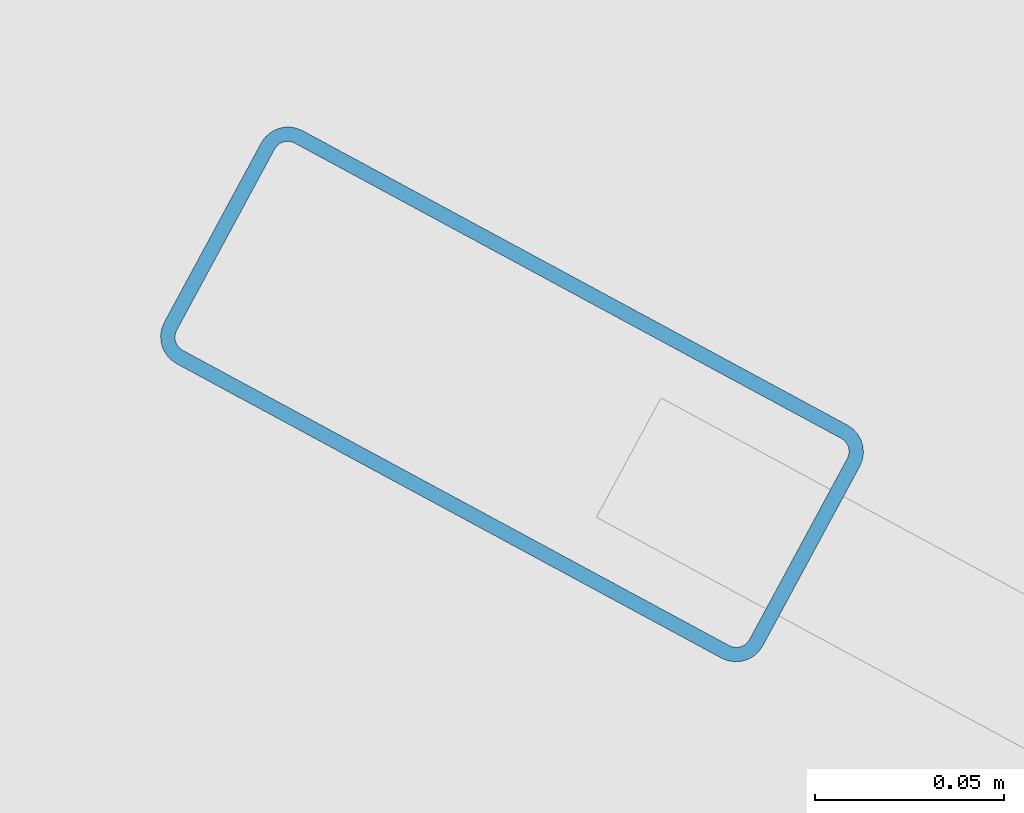
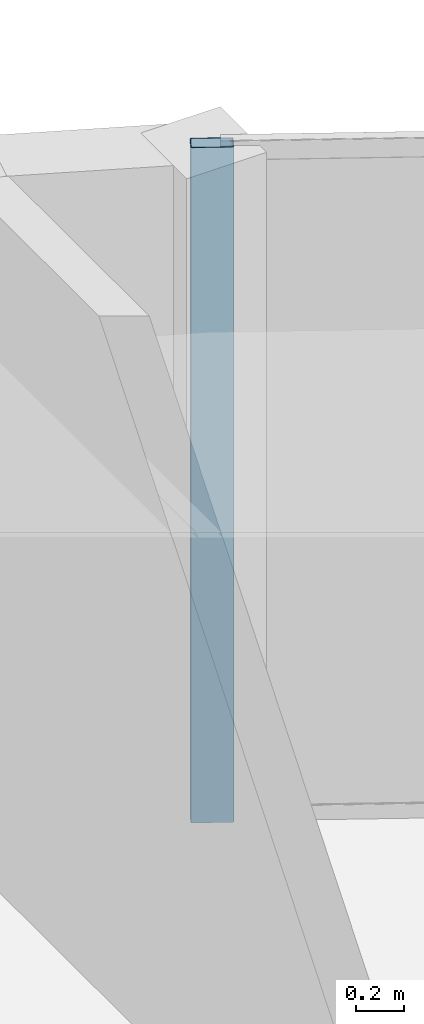
# One storey, part 8 of 14: 1 member, 1 element without a shape of its own.
"""IFC4 building model written with IfcOpenShell, lengths in metres."""

import ifcopenshell
import ifcopenshell.guid

model = None  # the IFC model being written
_history = None  # IfcOwnerHistory: only IFC2X3 demands one
_inside = {}  # id of a spatial element -> (the spatial element, [elements in it])
_under = {}  # id of a project, library or spatial element -> (it, [spatial elements below it])
_declared = {}  # id of a project -> (the project, [libraries it declares])
_typed = {}  # id of a type object -> (the type object, [elements of that type])
_made_of = {}  # id of a material, layer set ... -> (it, [elements and type objects made of it])


def new_model(schema):
    """Start an empty IFC model of exactly this schema.

    Asked for "IFC4X3", IfcOpenShell would pick the latest addendum, in which some entities
    have other attributes; the version numbers below select the first issue.
    IFC2X3 requires an IfcOwnerHistory on every rooted entity: one is made here for all.
    """
    global model, _history
    if schema == "IFC4X3":
        model = ifcopenshell.file(schema_version=(4, 3, 0, 0))
    else:
        model = ifcopenshell.file(schema=schema)
    _inside.clear()
    _under.clear()
    _declared.clear()
    _typed.clear()
    _made_of.clear()
    _history = None
    if model.schema == "IFC2X3":
        org = make("IfcOrganization", Name="unknown")
        user = make(
            "IfcPersonAndOrganization",
            ThePerson=make("IfcPerson", FamilyName="unknown"),
            TheOrganization=org,
        )
        app = make(
            "IfcApplication",
            ApplicationDeveloper=org,
            Version="unknown",
            ApplicationFullName="unknown",
            ApplicationIdentifier="unknown",
        )
        _history = make(
            "IfcOwnerHistory",
            OwningUser=user,
            OwningApplication=app,
            ChangeAction="ADDED",
            CreationDate=0,
        )
    return model


def make(cls, **values):
    """One entity of the class cls with the attributes given. An attribute that is None is left unset."""
    return model.create_entity(
        cls, **{name: value for name, value in values.items() if value is not None}
    )


def rooted(cls, **values):
    """An entity with a GlobalId (a new one), such as an element, a storey or a relation."""
    return make(cls, GlobalId=ifcopenshell.guid.new(), OwnerHistory=_history, **values)


def si_unit(unit_type, name, prefix=None):
    """IfcSIUnit, for example si_unit("LENGTHUNIT", "METRE", prefix="MILLI")."""
    return make("IfcSIUnit", UnitType=unit_type, Prefix=prefix, Name=name)


def assignment(units):
    """IfcUnitAssignment: the units of a project."""
    return None if units is None else make("IfcUnitAssignment", Units=units)


def point(xyz):
    """IfcCartesianPoint."""
    return None if xyz is None else make("IfcCartesianPoint", Coordinates=xyz)


def direction(xyz):
    """IfcDirection."""
    return None if xyz is None else make("IfcDirection", DirectionRatios=xyz)


def frame(location, z_axis=None, x_axis=None):
    """IfcAxis2Placement3D, a coordinate frame: its origin and axes. An axis left out is left unset."""
    return make(
        "IfcAxis2Placement3D",
        Location=point(location),
        Axis=direction(z_axis),
        RefDirection=direction(x_axis),
    )


def frame_2d(location, x_axis=None):
    """IfcAxis2Placement2D, a coordinate frame in the plane: its origin and x axis."""
    return make(
        "IfcAxis2Placement2D", Location=point(location), RefDirection=direction(x_axis)
    )


def origin():
    """The frame at (0, 0, 0) with its axes left unset."""
    return frame((0.0, 0.0, 0.0))


def origin_2d():
    """The frame at (0, 0) in the plane with its x axis left unset."""
    return frame_2d((0.0, 0.0))


def place(relative_to, where):
    """IfcLocalPlacement: puts the frame where relative to a parent placement (None: the world)."""
    return make(
        "IfcLocalPlacement", PlacementRelTo=relative_to, RelativePlacement=where
    )


def context(
    kind, dimensions, precision=None, world=None, true_north=None, identifier=None
):
    """IfcGeometricRepresentationContext, for example the 3D "Model" context."""
    return make(
        "IfcGeometricRepresentationContext",
        ContextIdentifier=identifier,
        ContextType=kind,
        CoordinateSpaceDimension=dimensions,
        Precision=precision,
        WorldCoordinateSystem=world,
        TrueNorth=true_north,
    )


def subcontext(parent, identifier, kind, view, scale=None):
    """IfcGeometricRepresentationSubContext, for example "Body" below "Model"."""
    return make(
        "IfcGeometricRepresentationSubContext",
        ContextIdentifier=identifier,
        ContextType=kind,
        ParentContext=parent,
        TargetScale=scale,
        TargetView=view,
    )


def project(units=None, contexts=None):
    """IfcProject with its units and contexts."""
    return rooted(
        "IfcProject",
        Name="project",
        RepresentationContexts=contexts,
        UnitsInContext=assignment(units),
    )


def spatial(cls, under=None, at=None, **own):
    """A site, building, storey or space (cls), placed at a placement, below another one or the project."""
    s = rooted(cls, ObjectPlacement=at, **own)
    if under is not None:
        _under.setdefault(under.id(), (under, []))[1].append(s)
    return s


def profile(cls, at=None, kind="AREA", **sizes):
    """A parametric profile (cls). Its sizes go by their IFC names, for example OverallWidth=200.0."""
    return make(cls, ProfileType=kind, Position=at, **sizes)


def hollow_rectangle(**sizes):
    """IfcRectangleHollowProfileDef."""
    return profile("IfcRectangleHollowProfileDef", **sizes)


def extrude(swept, where, along, depth):
    """IfcExtrudedAreaSolid: the profile swept, set in the frame where, extruded along a direction by depth."""
    return make(
        "IfcExtrudedAreaSolid",
        SweptArea=swept,
        Position=where,
        ExtrudedDirection=direction(along),
        Depth=depth,
    )


def shape(context_of_items, identifier, shape_type, items):
    """IfcShapeRepresentation: the items that make up one representation, for example the "Body"."""
    return make(
        "IfcShapeRepresentation",
        ContextOfItems=context_of_items,
        RepresentationIdentifier=identifier,
        RepresentationType=shape_type,
        Items=items,
    )


def material(Name=None, Category=None):
    """IfcMaterial."""
    return make("IfcMaterial", Name=Name, Category=Category)


def layer(
    of_material, thickness, ventilated=None, Name=None, Category=None, Priority=None
):
    """IfcMaterialLayer: one layer of a wall or slab, of a material (None: an air gap)."""
    return make(
        "IfcMaterialLayer",
        Material=of_material,
        LayerThickness=thickness,
        IsVentilated=ventilated,
        Name=Name,
        Category=Category,
        Priority=Priority,
    )


def layer_set(layers, Name=None):
    """IfcMaterialLayerSet."""
    return make("IfcMaterialLayerSet", MaterialLayers=layers, LayerSetName=Name)


def material_profile(
    of_material, cross_section, Name=None, Category=None, Priority=None
):
    """IfcMaterialProfile: a cross section and its material."""
    return make(
        "IfcMaterialProfile",
        Name=Name,
        Material=of_material,
        Profile=cross_section,
        Priority=Priority,
        Category=Category,
    )


def profile_set(profiles, Name=None, composite=None):
    """IfcMaterialProfileSet."""
    return make(
        "IfcMaterialProfileSet",
        Name=Name,
        MaterialProfiles=profiles,
        CompositeProfile=composite,
    )


def made_of(thing, what):
    """Note that an element or type object is made of a material, layer set ...; save() writes the relation."""
    if what is not None:
        _made_of.setdefault(what.id(), (what, []))[1].append(thing)
    return thing


def type_object(cls, material=None, **own):
    """A type object (cls), such as IfcWallType, which elements share."""
    return made_of(rooted(cls, **own), material)


def element(
    cls,
    number,
    at=None,
    inside=None,
    cuts=None,
    type_object=None,
    material=None,
    context=None,
    identifier="Body",
    shape_type=None,
    held_by="IfcProductDefinitionShape",
    body=None,
    shapes=None,
    **own,
):
    """One element of the class cls, such as IfcWall. Its Tag is "e" and its number.

    at: its placement. inside: the storey or other place that contains it. cuts: it is an
    opening in that element (IfcRelVoidsElement). A single representation is given by context,
    identifier, shape_type and body (its items); several are given by shapes. held_by: the class
    of the entity that holds the representations. save() writes the other relations.
    """
    e = rooted(cls, Tag="e%d" % number, ObjectPlacement=at, **own)
    if body is not None:
        shapes = [shape(context, identifier, shape_type, body)]
    if shapes is not None:
        e.Representation = make(held_by, Representations=shapes)
    if inside is not None:
        _inside.setdefault(inside.id(), (inside, []))[1].append(e)
    if cuts is not None:
        rooted(
            "IfcRelVoidsElement", RelatingBuildingElement=cuts, RelatedOpeningElement=e
        )
    if type_object is not None:
        _typed.setdefault(type_object.id(), (type_object, []))[1].append(e)
    return made_of(e, material)


def aggregate(whole, parts):
    """IfcRelAggregates: a whole, such as a stair, and the parts it consists of."""
    return rooted("IfcRelAggregates", RelatingObject=whole, RelatedObjects=parts)


def save(model, path):
    """Write the relations noted so far, then the file.

    IfcRelAggregates (storeys below a building ...), IfcRelContainedInSpatialStructure (elements
    in a storey), IfcRelDefinesByType, IfcRelAssociatesMaterial and IfcRelDeclares: one each for
    every whole, place, type object, material and project.
    """
    for whole, parts in _under.values():
        aggregate(whole, parts)
    for where, things in _inside.values():
        rooted(
            "IfcRelContainedInSpatialStructure",
            RelatedElements=things,
            RelatingStructure=where,
        )
    for kind, things in _typed.values():
        rooted("IfcRelDefinesByType", RelatedObjects=things, RelatingType=kind)
    for what, things in _made_of.values():
        rooted("IfcRelAssociatesMaterial", RelatedObjects=things, RelatingMaterial=what)
    for by, libraries in _declared.values():
        rooted("IfcRelDeclares", RelatingContext=by, RelatedDefinitions=libraries)
    model.write(path)


model = new_model("IFC4")

# Units and contexts
model_context = context("Model", 3, precision=1e-05, world=origin(), true_north=direction((0.0, 1.0)))
body_context = subcontext(model_context, "Body", "Model", "MODEL_VIEW")
ifc_project = project(units=[si_unit("LENGTHUNIT", "METRE"), si_unit("AREAUNIT", "SQUARE_METRE"), si_unit("VOLUMEUNIT", "CUBIC_METRE"), si_unit("PLANEANGLEUNIT", "RADIAN"), si_unit("MASSUNIT", "GRAM", prefix="KILO")], contexts=[model_context])

# Site, building, storey
site_placement = place(None, origin())
site = spatial("IfcSite", under=ifc_project, at=site_placement, CompositionType="ELEMENT")
building_placement = place(site_placement, origin())
building = spatial("IfcBuilding", under=site, at=building_placement, Name="An Khanh Terracotta Commons", CompositionType="ELEMENT")
storey_placement = place(building_placement, frame((0.0, 0.0, 240.89990234375)))
storey = spatial("IfcBuildingStorey", under=building, at=storey_placement, Name="L63", CompositionType="ELEMENT", Elevation=240.89990234375)

# Curtain wall, member
ifc_material = material(Name="Anodised Aluminium 6063-T6", Category="aluminium")
ifc_layer = layer(ifc_material, 0.2099609375, Name="Anodised Aluminium 6063-T6")
ifc_layer_set = layer_set([ifc_layer], Name="Anodised Aluminium 6063-T6")
curtain_wall_type = type_object("IfcCurtainWallType", Name="CW-SYS-03", PredefinedType="USERDEFINED", material=ifc_layer_set)
curtain_wall_placement = place(storey_placement, origin())
curtain_wall = element("IfcCurtainWall", 1, at=curtain_wall_placement, inside=storey, type_object=curtain_wall_type, Name="L63 CW-03 Unitised Curtain Wall CW-L63-16", ObjectType="UNITISED CURTAIN WALL", PredefinedType="USERDEFINED")
ifc_material_profile = material_profile(ifc_material, hollow_rectangle(XDim=0.070068359375, YDim=0.179931640625, WallThickness=0.00390625, InnerFilletRadius=0.00390625, OuterFilletRadius=0.008056640625, at=origin_2d()), Name="RHS180x70x4")
ifc_profile_set = profile_set([ifc_material_profile], Name="Anodised Aluminium 6063-T6")
member_type = type_object("IfcMemberType", Name="CWM-RHS180x70x4", PredefinedType="MULLION", material=ifc_profile_set)
member_placement = place(storey_placement, frame((57.3876953125, 39.058349609375, 0.0), z_axis=(0.0, 0.0, 1.0), x_axis=(-0.47538088298, -0.879780095306, 0.0)))
member = element("IfcMember", 2, at=member_placement, type_object=member_type, Name="CW-03 mullion 5", PredefinedType="MULLION", context=body_context, shape_type="SweptSolid", body=[
    extrude(hollow_rectangle(XDim=0.070068359375, YDim=0.179931640625, WallThickness=0.00390625, InnerFilletRadius=0.00390625, OuterFilletRadius=0.008056640625, at=origin_2d()), origin(), (0.0, 0.0, 1.0), 3.400146484375),
])
aggregate(curtain_wall, [member])

save(model, "model.ifc")
